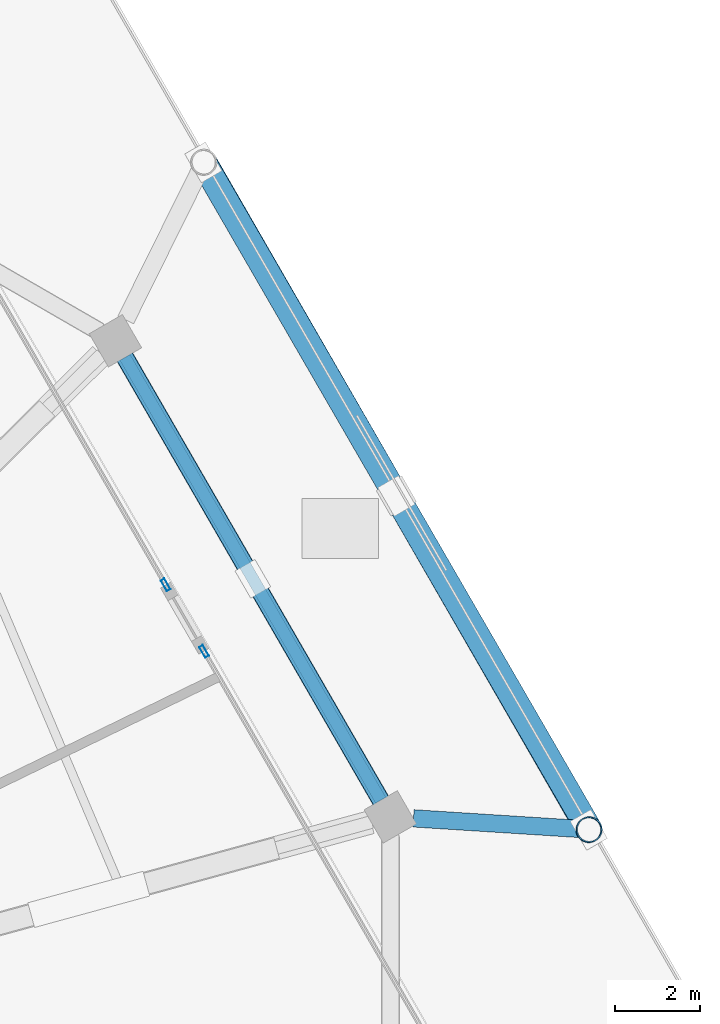
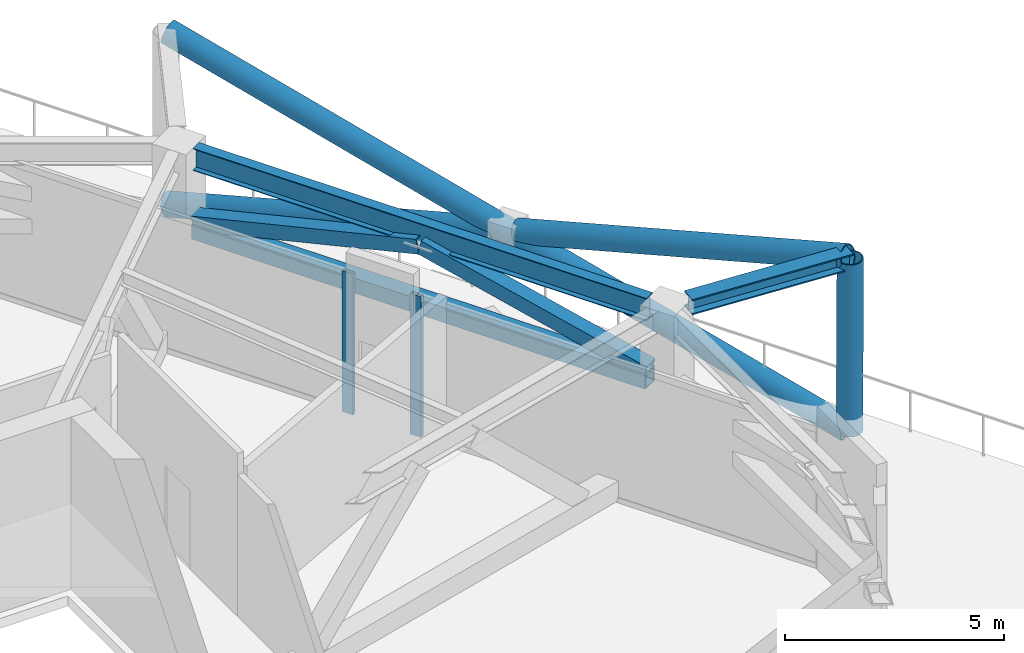
# One storey, part 10 of 20: 9 members, 2 beams, 2 elements without a shape of their own.
"""IFC4 building model written with IfcOpenShell, lengths in metres."""

from ifc_helpers import new_model, si_unit, direction, frame, origin, origin_2d, place, context, subcontext, project, spatial, hollow_rectangle, hollow_circle, i_section, extrude, material, material_profile, profile_set, type_object, element, aggregate, save


model = new_model("IFC4")

# Units and contexts
model_context = context("Model", 3, precision=1e-05, world=origin(), true_north=direction((0.0, 1.0)))
body_context = subcontext(model_context, "Body", "Model", "MODEL_VIEW")
ifc_project = project(units=[si_unit("LENGTHUNIT", "METRE"), si_unit("AREAUNIT", "SQUARE_METRE"), si_unit("VOLUMEUNIT", "CUBIC_METRE"), si_unit("PLANEANGLEUNIT", "RADIAN"), si_unit("MASSUNIT", "GRAM", prefix="KILO")], contexts=[model_context])

# Site, building, storey
site_placement = place(None, origin())
site = spatial("IfcSite", under=ifc_project, at=site_placement, CompositionType="ELEMENT")
building_placement = place(site_placement, origin())
building = spatial("IfcBuilding", under=site, at=building_placement, Name="Zuhravey Tower", CompositionType="ELEMENT")
storey_placement = place(building_placement, frame((0.0, 0.0, 226.39990234375)))
storey = spatial("IfcBuildingStorey", under=building, at=storey_placement, Name="L57", CompositionType="ELEMENT", Elevation=226.39990234375)

# Members
ifc_material_1 = material(Name="Steel SM355", Category="steel")
ifc_material_profile_1 = material_profile(ifc_material_1, hollow_rectangle(XDim=0.419921875, YDim=0.419921875, WallThickness=0.028076171875, at=origin_2d()), Name="RHS-420x420x28")
ifc_profile_set_1 = profile_set([ifc_material_profile_1], Name="Steel SM355")
member_type_1 = type_object("IfcMemberType", Name="Belt Truss Chord RHS420x420", PredefinedType="CHORD", material=ifc_profile_set_1)
member_1_placement = place(storey_placement, frame((60.257080078125, 39.093017578125, 2.27001953125), z_axis=(-0.500019018537, 0.866014423149, 0.0), x_axis=(-0.866014423149, -0.500019018537, 0.0)))
element("IfcMember", 1, at=member_1_placement, inside=storey, type_object=member_type_1, Name="L57 Belt Truss Bottom Chord BTC1-01", PredefinedType="CHORD", context=body_context, shape_type="SweptSolid", body=[
    extrude(hollow_rectangle(XDim=0.419921875, YDim=0.419921875, WallThickness=0.028076171875, at=origin_2d()), origin(), (0.0, 0.0, 1.0), 11.9716796875),
])
ifc_material_profile_2 = material_profile(ifc_material_1, hollow_rectangle(XDim=0.39990234375, YDim=0.39990234375, WallThickness=0.02490234375, at=origin_2d()), Name="RHS-400x400x25")
ifc_profile_set_2 = profile_set([ifc_material_profile_2], Name="Steel SM355")
member_type_2 = type_object("IfcMemberType", Name="Belt Truss Diagonal RHS400x400", PredefinedType="BRACE", material=ifc_profile_set_2)
member_2_placement = place(storey_placement, frame((60.249755859375, 39.10546875, 2.49365234375), z_axis=(-0.486138183075, 0.842000912164, 0.233889142268), x_axis=(-0.866021515814, -0.500006734102, 0.0)))
element("IfcMember", 2, at=member_2_placement, inside=storey, type_object=member_type_2, Name="L57 Belt Truss Diagonal BTD1-01.1", PredefinedType="BRACE", context=body_context, shape_type="SweptSolid", body=[
    extrude(hollow_rectangle(XDim=0.39990234375, YDim=0.39990234375, WallThickness=0.02490234375, at=origin_2d()), origin(), (0.0, 0.0, 1.0), 6.116943359375),
])
member_3_placement = place(storey_placement, frame((54.2783203125, 49.447998046875, 2.49365234375), z_axis=(0.486154520979, -0.841989295572, 0.233897002704), x_axis=(0.866011252126, 0.50002451059, 0.0)))
element("IfcMember", 3, at=member_3_placement, inside=storey, type_object=member_type_2, Name="L57 Belt Truss Diagonal BTD1-01.2", PredefinedType="BRACE", context=body_context, shape_type="SweptSolid", body=[
    extrude(hollow_rectangle(XDim=0.39990234375, YDim=0.39990234375, WallThickness=0.02490234375, at=origin_2d()), origin(), (0.0, 0.0, 1.0), 6.11669921875),
])

# Beam
ifc_material_2 = material(Name="Steel SM460", Category="steel")
ifc_material_profile_3 = material_profile(ifc_material_2, i_section(OverallWidth=0.406982421875, OverallDepth=0.427978515625, WebThickness=0.02001953125, FlangeThickness=0.034912109375, at=origin_2d()), Name="H-428x407x20x35")
ifc_profile_set_3 = profile_set([ifc_material_profile_3], Name="Steel SM460")
beam_type_1 = type_object("IfcBeamType", Name="Exoskeleton Node Tie Beam H428x407", PredefinedType="BEAM", material=ifc_profile_set_3)
beam_1_placement = place(storey_placement, frame((61.02783203125, 38.664306640625, 4.336181640625), z_axis=(0.997988306993, -0.063398257903, 0.0), x_axis=(0.063398257903, 0.997988306993, 0.0)))
element("IfcBeam", 4, at=beam_1_placement, inside=storey, type_object=beam_type_1, Name="L57 Exoskeleton Node Tie NT1-01", PredefinedType="BEAM", context=body_context, shape_type="SweptSolid", body=[
    extrude(i_section(OverallWidth=0.406982421875, OverallDepth=0.427978515625, WebThickness=0.02001953125, FlangeThickness=0.034912109375, at=origin_2d()), origin(), (0.0, 0.0, 1.0), 4.11279296875),
])

# Members
ifc_material_profile_4 = material_profile(ifc_material_1, hollow_circle(Radius=0.3046875, WallThickness=0.028076171875, at=origin_2d()), Name="CHS-609.6x28")
ifc_profile_set_4 = profile_set([ifc_material_profile_4], Name="Steel SM355")
member_type_3 = type_object("IfcMemberType", Name="Exoskeleton Zone 3 Diagrid CHS610x28", PredefinedType="BRACE", material=ifc_profile_set_4)
member_4_placement = place(storey_placement, frame((65.134521484375, 38.39501953125, -0.475830078125), z_axis=(0.002699110862, 0.001578725221, 0.999995111202), x_axis=(-0.504883315038, 0.863187603129, 0.0)))
element("IfcMember", 5, at=member_4_placement, inside=storey, type_object=member_type_3, Name="L57 Face 1 Diagrid Brace 1", PredefinedType="BRACE", context=body_context, shape_type="SweptSolid", body=[
    extrude(hollow_circle(Radius=0.3046875, WallThickness=0.028076171875, at=origin_2d()), origin(), (0.0, 0.0, 1.0), 4.7939453125),
])
member_5_placement = place(storey_placement, frame((65.10546875, 38.4453125, -0.478515625), z_axis=(-0.482321819093, 0.837017383374, 0.258394200314), x_axis=(-0.866442136999, -0.499277501229, 0.0)))
element("IfcMember", 6, at=member_5_placement, inside=storey, type_object=member_type_3, Name="L57 Face 1 Diagrid Brace 2", PredefinedType="BRACE", context=body_context, shape_type="SweptSolid", body=[
    extrude(hollow_circle(Radius=0.3046875, WallThickness=0.028076171875, at=origin_2d()), origin(), (0.0, 0.0, 1.0), 18.57275390625),
])
member_6_placement = place(storey_placement, frame((56.134521484375, 53.9833984375, -0.478515625), z_axis=(0.483707349751, -0.83621037066, 0.258417135263), x_axis=(0.865612251438, 0.500714919052, 0.0)))
element("IfcMember", 7, at=member_6_placement, inside=storey, type_object=member_type_3, Name="L57 Face 1 Split Diagrid Brace 3A", PredefinedType="BRACE", context=body_context, shape_type="SweptSolid", body=[
    extrude(hollow_circle(Radius=0.3046875, WallThickness=0.028076171875, at=origin_2d()), origin(), (0.0, 0.0, 1.0), 8.9912109375),
])
member_7_placement = place(storey_placement, frame((60.76904296875, 45.971435546875, 1.997314453125), z_axis=(0.483720560279, -0.836213420989, 0.258382534472), x_axis=(0.865607116, 0.500723796848, 0.0)))
element("IfcMember", 8, at=member_7_placement, inside=storey, type_object=member_type_3, Name="L57 Face 1 Split Diagrid Brace 3B", PredefinedType="BRACE", context=body_context, shape_type="SweptSolid", body=[
    extrude(hollow_circle(Radius=0.3046875, WallThickness=0.028076171875, at=origin_2d()), origin(), (0.0, 0.0, 1.0), 8.991455078125),
])

# Curtain wall, member
ifc_material_3 = material(Name="Thermally broken anodised aluminium", Category="aluminium")
curtain_wall_type = type_object("IfcCurtainWallType", Name="Sky-Garden Tray Clerestory Curtain Wall CW5", PredefinedType="NOTDEFINED", material=ifc_material_3)
curtain_wall_1_placement = place(storey_placement, origin())
curtain_wall_1 = element("IfcCurtainWall", 9, at=curtain_wall_1_placement, inside=storey, type_object=curtain_wall_type, Name="L57 CW5 CW-L57-F1-1", PredefinedType="NOTDEFINED")
ifc_material_4 = material(Name="Anodised aluminium", Category="aluminium")
ifc_material_profile_5 = material_profile(ifc_material_4, hollow_rectangle(XDim=0.10009765625, YDim=0.2900390625, WallThickness=0.006103515625, at=origin_2d()), Name="ALU-RHS-100x290x6")
ifc_profile_set_5 = profile_set([ifc_material_profile_5], Name="Anodised aluminium")
member_type_4 = type_object("IfcMemberType", Name="Heavy Tall-Storey Mullion 100x220", PredefinedType="MULLION", material=ifc_profile_set_5)
member_8_placement = place(storey_placement, frame((55.220703125, 44.13623046875, 0.0), z_axis=(0.0, 0.0, 1.0), x_axis=(0.866023772421, 0.500002825594, 0.0)))
member_8 = element("IfcMember", 10, at=member_8_placement, type_object=member_type_4, Name="CW5 mullion 2", PredefinedType="MULLION", context=body_context, shape_type="SweptSolid", body=[
    extrude(hollow_rectangle(XDim=0.10009765625, YDim=0.2900390625, WallThickness=0.006103515625, at=origin_2d()), origin(), (0.0, 0.0, 1.0), 3.93017578125),
])
aggregate(curtain_wall_1, [member_8])

curtain_wall_2_placement = place(storey_placement, origin())
curtain_wall_2 = element("IfcCurtainWall", 11, at=curtain_wall_2_placement, inside=storey, type_object=curtain_wall_type, Name="L57 CW5 CW-L57-F1-2", PredefinedType="NOTDEFINED")
member_9_placement = place(storey_placement, frame((56.12060546875, 42.577392578125, 0.0), z_axis=(0.0, 0.0, 1.0), x_axis=(0.866027779604, 0.499995884937, 0.0)))
member_9 = element("IfcMember", 12, at=member_9_placement, type_object=member_type_4, Name="CW5 mullion 1", PredefinedType="MULLION", context=body_context, shape_type="SweptSolid", body=[
    extrude(hollow_rectangle(XDim=0.10009765625, YDim=0.2900390625, WallThickness=0.006103515625, at=origin_2d()), origin(), (0.0, 0.0, 1.0), 3.93017578125),
])
aggregate(curtain_wall_2, [member_9])

# Beam
ifc_material_profile_6 = material_profile(ifc_material_1, i_section(OverallWidth=0.280029296875, OverallDepth=0.6201171875, WebThickness=0.011962890625, FlangeThickness=0.02001953125, at=origin_2d()), Name="H-620x280x12x20")
ifc_profile_set_6 = profile_set([ifc_material_profile_6], Name="Steel SM355")
beam_type_2 = type_object("IfcBeamType", Name="Perimeter Ring Beam H620x280", PredefinedType="BEAM", material=ifc_profile_set_6)
beam_2_placement = place(storey_placement, frame((60.258056640625, 39.09130859375, 4.239990234375), z_axis=(-0.500017744717, 0.866015158625, 0.0), x_axis=(-0.866015158625, -0.500017744717, 0.0)))
element("IfcBeam", 13, at=beam_2_placement, inside=storey, type_object=beam_type_2, Name="L57 PB3 BM-L57-PB-01", PredefinedType="BEAM", context=body_context, shape_type="SweptSolid", body=[
    extrude(i_section(OverallWidth=0.280029296875, OverallDepth=0.6201171875, WebThickness=0.011962890625, FlangeThickness=0.02001953125, at=origin_2d()), origin(), (0.0, 0.0, 1.0), 11.9755859375),
])

save(model, "model.ifc")
